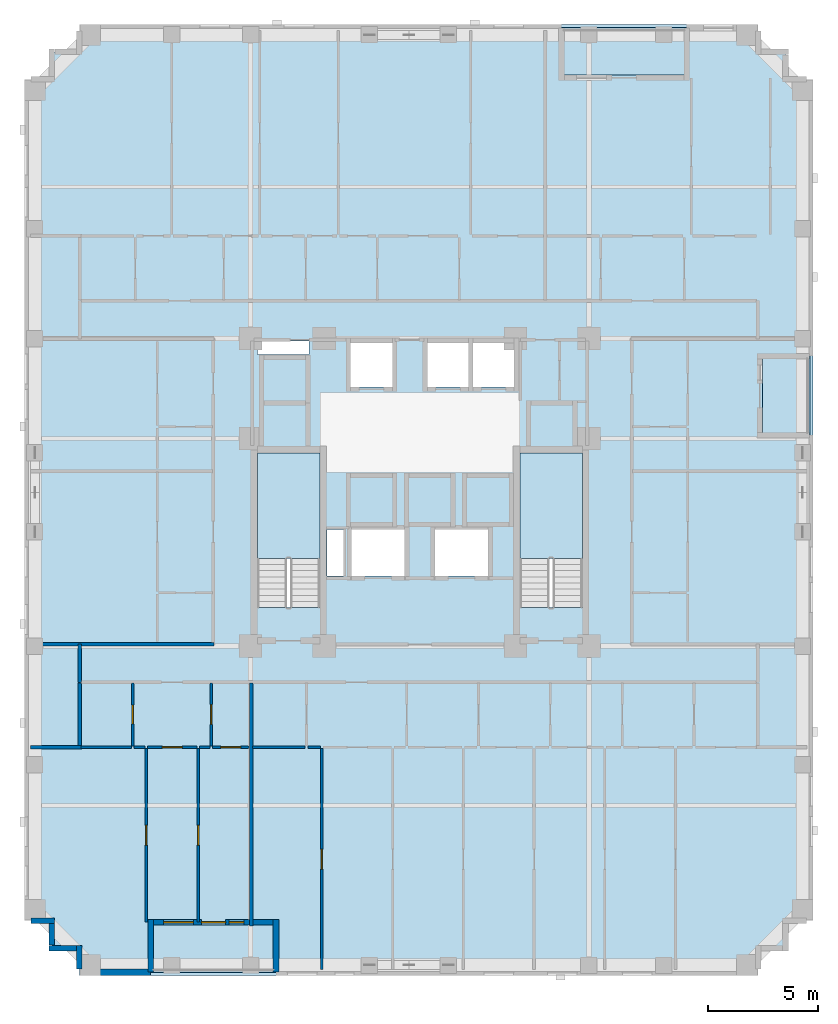
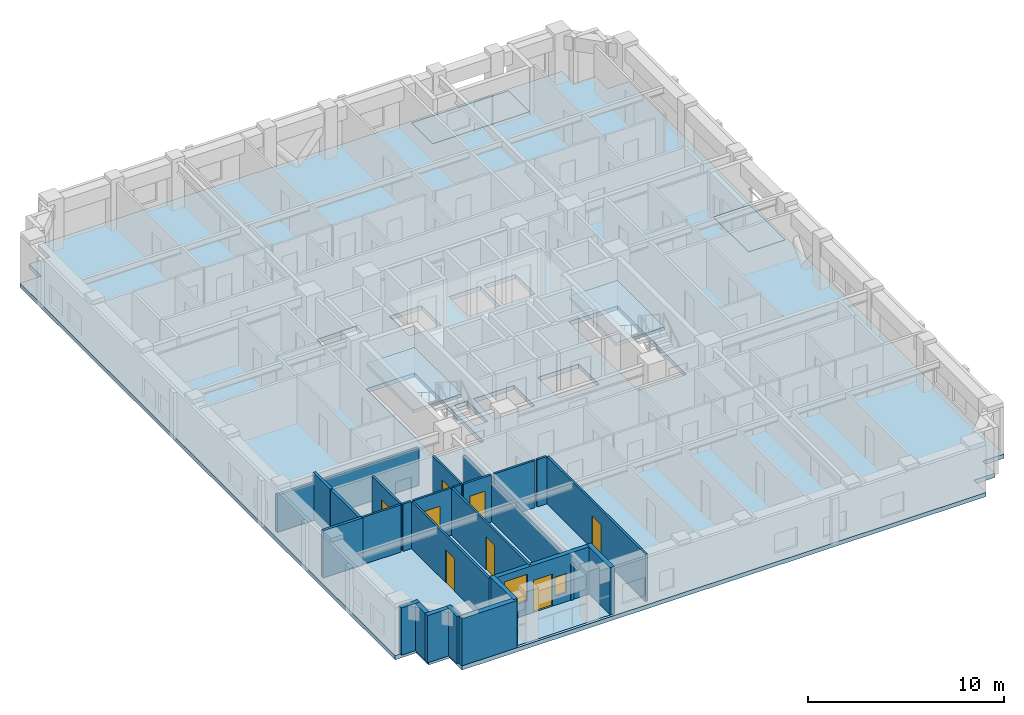
# One storey, part 2 of 12: 25 walls, 8 doors, 6 slabs, 2 windows, 10 openings, 2 elements without a shape of their own.
"""IFC4 building model written with IfcOpenShell, lengths in metres."""

from ifc_helpers import new_model, si_unit, derived_unit, direction, frame, frame_2d, origin, place, context, subcontext, project, spatial, polyline, rectangle, outline, extrude, material, layer, layer_set, type_object, element, fill, aggregate, save


model = new_model("IFC4")

# Units and contexts
model_context = context("Model", 3, precision=1e-05, world=origin(), true_north=direction((0.0, 1.0)))
body_context = subcontext(model_context, "Body", "Model", "MODEL_VIEW")
ifc_project = project(units=[si_unit("LENGTHUNIT", "METRE"), si_unit("AREAUNIT", "SQUARE_METRE"), si_unit("VOLUMEUNIT", "CUBIC_METRE"), si_unit("PLANEANGLEUNIT", "RADIAN"), si_unit("MASSUNIT", "GRAM", prefix="KILO"), derived_unit("THERMALTRANSMITTANCEUNIT", [(si_unit("MASSUNIT", "GRAM", prefix="KILO"), 1), (si_unit("TIMEUNIT", "SECOND"), -3), (si_unit("THERMODYNAMICTEMPERATUREUNIT", "KELVIN"), -1)])], contexts=[model_context])

# Site, building, storey
site_placement = place(None, origin())
site = spatial("IfcSite", under=ifc_project, at=site_placement, CompositionType="ELEMENT")
building_placement = place(site_placement, origin())
building = spatial("IfcBuilding", under=site, at=building_placement, Name="Korrvale Station Residences", CompositionType="ELEMENT")
storey_placement = place(building_placement, frame((0.0, 0.0, 110.300048828125)))
storey = spatial("IfcBuildingStorey", under=building, at=storey_placement, Name="L31", CompositionType="ELEMENT", Elevation=110.300048828125)

# Slabs
ifc_material_1 = material(Name="Concrete C50/60", Category="concrete")
ifc_layer_1 = layer(ifc_material_1, 0.219970703125, Name="Concrete C50/60")
ifc_layer_set_1 = layer_set([ifc_layer_1], Name="Concrete C50/60")
slab_type_1 = type_object("IfcSlabType", Name="SLB-BAL-220", PredefinedType="FLOOR", material=ifc_layer_set_1)
slab_1_placement = place(storey_placement, frame((0.0, 0.0, -0.219970703125)))
element("IfcSlab", 1, at=slab_1_placement, inside=storey, type_object=slab_type_1, Name="L31 Recessed Loggia Balcony Slab BAL-L31-S1", PredefinedType="FLOOR", context=body_context, shape_type="SweptSolid", body=[
    extrude(outline(polyline([(13.25, 0.14990234375), (18.949951171875, 0.14990234375), (18.949951171875, 2.300048828125), (13.25, 2.300048828125), (13.25, 0.14990234375)])), origin(), (0.0, 0.0, 1.0), 0.219970703125),
])
slab_2_placement = place(storey_placement, frame((0.0, 0.0, -0.219970703125)))
element("IfcSlab", 2, at=slab_2_placement, inside=storey, type_object=slab_type_1, Name="L31 Recessed Loggia Balcony Slab BAL-L31-N1", PredefinedType="FLOOR", context=body_context, shape_type="SweptSolid", body=[
    extrude(outline(polyline([(31.949951171875, 41.0), (37.64990234375, 41.0), (37.64990234375, 43.14990234375), (31.949951171875, 43.14990234375), (31.949951171875, 41.0)])), origin(), (0.0, 0.0, 1.0), 0.219970703125),
])
slab_3_placement = place(storey_placement, frame((0.0, 0.0, -0.219970703125)))
element("IfcSlab", 3, at=slab_3_placement, inside=storey, type_object=slab_type_1, Name="L31 Recessed Loggia Balcony Slab BAL-L31-E1", PredefinedType="FLOOR", context=body_context, shape_type="SweptSolid", body=[
    extrude(outline(polyline([(41.10009765625, 24.60009765625), (43.25, 24.60009765625), (43.25, 28.199951171875), (41.10009765625, 28.199951171875), (41.10009765625, 24.60009765625)])), origin(), (0.0, 0.0, 1.0), 0.219970703125),
])
ifc_layer_2 = layer(ifc_material_1, 0.260009765625, Name="Concrete C50/60")
ifc_layer_set_2 = layer_set([ifc_layer_2], Name="Concrete C50/60")
slab_type_2 = type_object("IfcSlabType", Name="SLB-FLR-260", PredefinedType="FLOOR", material=ifc_layer_set_2)
slab_4_placement = place(storey_placement, frame((0.0, 0.0, -0.260009765625)))
element("IfcSlab", 4, at=slab_4_placement, inside=storey, type_object=slab_type_2, Name="L31 Suspended Structural Floor Slab", PredefinedType="FLOOR", context=body_context, shape_type="SweptSolid", body=[
    extrude(outline(polyline([(10.0, 0.0), (40.89990234375, 0.0), (40.89990234375, 1.25), (42.14990234375, 1.25), (42.14990234375, 2.5), (43.39990234375, 2.5), (43.39990234375, 40.800048828125), (42.14990234375, 40.800048828125), (42.14990234375, 42.050048828125), (40.89990234375, 42.050048828125), (40.89990234375, 43.300048828125), (10.0, 43.300048828125), (10.0, 42.050048828125), (8.75, 42.050048828125), (8.75, 40.800048828125), (7.5, 40.800048828125), (7.5, 2.5), (8.75, 2.5), (8.75, 1.25), (10.0, 1.25), (10.0, 0.0)]), holes=[polyline([(20.949951171875, 16.751953125), (20.949951171875, 23.800048828125), (18.10009765625, 23.800048828125), (18.10009765625, 16.751953125), (20.949951171875, 16.751953125)]), polyline([(32.89990234375, 16.751953125), (32.89990234375, 23.800048828125), (30.050048828125, 23.800048828125), (30.050048828125, 16.751953125), (32.89990234375, 16.751953125)]), polyline([(22.35009765625, 26.800048828125), (24.25, 26.800048828125), (24.25, 28.800048828125), (22.35009765625, 28.800048828125), (22.35009765625, 26.800048828125)]), polyline([(25.85009765625, 26.800048828125), (27.7099609375, 26.800048828125), (27.7099609375, 28.800048828125), (25.85009765625, 28.800048828125), (25.85009765625, 26.800048828125)]), polyline([(27.929931640625, 26.800048828125), (29.7900390625, 26.800048828125), (29.7900390625, 28.800048828125), (27.929931640625, 28.800048828125), (27.929931640625, 26.800048828125)]), polyline([(22.39990234375, 18.199951171875), (24.800048828125, 18.199951171875), (24.800048828125, 20.300048828125), (22.39990234375, 20.300048828125), (22.39990234375, 18.199951171875)]), polyline([(26.199951171875, 18.199951171875), (28.60009765625, 18.199951171875), (28.60009765625, 20.300048828125), (26.199951171875, 20.300048828125), (26.199951171875, 18.199951171875)]), polyline([(18.10009765625, 28.280029296875), (20.449951171875, 28.280029296875), (20.449951171875, 28.8798828125), (18.10009765625, 28.8798828125), (18.10009765625, 28.280029296875)]), polyline([(21.280029296875, 18.199951171875), (22.02001953125, 18.199951171875), (22.02001953125, 20.300048828125), (21.280029296875, 20.300048828125), (21.280029296875, 18.199951171875)]), polyline([(13.25, 0.14990234375), (18.949951171875, 0.14990234375), (18.949951171875, 2.300048828125), (13.25, 2.300048828125), (13.25, 0.14990234375)]), polyline([(31.949951171875, 41.0), (37.64990234375, 41.0), (37.64990234375, 43.14990234375), (31.949951171875, 43.14990234375), (31.949951171875, 41.0)]), polyline([(41.10009765625, 24.60009765625), (43.25, 24.60009765625), (43.25, 28.199951171875), (41.10009765625, 28.199951171875), (41.10009765625, 24.60009765625)])]), origin(), (0.0, 0.0, 1.0), 0.260009765625),
])

# Stair, slab
stair_type = type_object("IfcStairType", Name="STR-DL-1350-18R-1778", PredefinedType="HALF_TURN_STAIR", material=ifc_material_1)
stair_1_placement = place(storey_placement, origin())
stair_1 = element("IfcStair", 5, at=stair_1_placement, inside=storey, type_object=stair_type, Name="L31 Exit Stair 1", PredefinedType="HALF_TURN_STAIR")
ifc_layer_3 = layer(ifc_material_1, 0.199951171875, Name="Concrete C50/60")
ifc_layer_set_3 = layer_set([ifc_layer_3], Name="Concrete C50/60")
slab_type_3 = type_object("IfcSlabType", Name="SLB-LND-200", PredefinedType="LANDING", material=ifc_layer_set_3)
slab_5_placement = place(storey_placement, frame((0.0, 0.0, 1.39990234375)))
slab_5 = element("IfcSlab", 6, at=slab_5_placement, type_object=slab_type_3, Name="ST-1 landing 1", PredefinedType="LANDING", context=body_context, shape_type="SweptSolid", body=[
    extrude(outline(polyline([(20.949951171875, 18.989990234375), (20.949951171875, 23.800048828125), (18.10009765625, 23.800048828125), (18.10009765625, 18.989990234375), (20.949951171875, 18.989990234375)])), origin(), (0.0, 0.0, 1.0), 0.199951171875),
])
aggregate(stair_1, [slab_5])

stair_2_placement = place(storey_placement, origin())
stair_2 = element("IfcStair", 7, at=stair_2_placement, inside=storey, type_object=stair_type, Name="L31 Exit Stair 2", PredefinedType="HALF_TURN_STAIR")
slab_6_placement = place(storey_placement, frame((0.0, 0.0, 1.39990234375)))
slab_6 = element("IfcSlab", 8, at=slab_6_placement, type_object=slab_type_3, Name="ST-2 landing 1", PredefinedType="LANDING", context=body_context, shape_type="SweptSolid", body=[
    extrude(outline(polyline([(32.89990234375, 18.989990234375), (32.89990234375, 23.800048828125), (30.050048828125, 23.800048828125), (30.050048828125, 18.989990234375), (32.89990234375, 18.989990234375)])), origin(), (0.0, 0.0, 1.0), 0.199951171875),
])
aggregate(stair_2, [slab_6])

# Wall
ifc_material_2 = material(Name="Precast concrete C45/55", Category="concrete")
ifc_layer_4 = layer(ifc_material_2, 0.260009765625, Name="Precast concrete C45/55")
ifc_layer_set_4 = layer_set([ifc_layer_4], Name="Precast concrete C45/55")
wall_type_1 = type_object("IfcWallType", Name="WAL-EXT-LOG260", PredefinedType="SOLIDWALL", material=ifc_layer_set_4)
wall_1_placement = place(storey_placement, frame((18.949951171875, 0.159912109375, 0.0), z_axis=(0.0, 0.0, 1.0), x_axis=(0.0, 1.0, 0.0)))
element("IfcWall", 9, at=wall_1_placement, inside=storey, type_object=wall_type_1, Name="L31 Recessed Loggia Wall BAL-L31-S1-L", PredefinedType="SOLIDWALL", context=body_context, shape_type="SweptSolid", body=[
    extrude(rectangle(XDim=2.400146484375, YDim=0.260009765625, at=frame_2d((1.2001953125, 0.0))), origin(), (0.0, 0.0, 1.0), 2.93994140625),
])

# Wall, openings, door, windows
wall_2_placement = place(storey_placement, frame((18.81591796875, 2.429931640625, 0.0), z_axis=(0.0, 0.0, 1.0), x_axis=(-1.0, 0.0, 0.0)))
wall_2 = element("IfcWall", 10, at=wall_2_placement, inside=storey, type_object=wall_type_1, Name="L31 Recessed Loggia Wall BAL-L31-S1-B", PredefinedType="SOLIDWALL", context=body_context, shape_type="SweptSolid", body=[
    extrude(rectangle(XDim=5.431884765625, YDim=0.260009765625, at=frame_2d((2.7158203125, 0.0))), origin(), (0.0, 0.0, 1.0), 2.93994140625),
])
opening_1_placement = place(wall_2_placement, frame((2.160888671875, 0.0, 0.0)))
opening_1 = element("IfcOpeningElement", 11, at=opening_1_placement, cuts=wall_2, Name="Opening BD-01", PredefinedType="OPENING", context=body_context, shape_type="SweptSolid", body=[
    extrude(rectangle(XDim=1.10009765625, YDim=2.0, at=frame_2d((0.550048828125, 1.0))), frame((0.0, 0.14013671875, 0.0), z_axis=(0.0, -1.0, 0.0), x_axis=(1.0, 0.0, 0.0)), (0.0, 0.0, 1.0), 0.280029296875),
])
opening_2_placement = place(wall_2_placement, frame((3.625, 0.0, 0.85009765625)))
opening_2 = element("IfcOpeningElement", 12, at=opening_2_placement, cuts=wall_2, Name="Opening W-06", PredefinedType="OPENING", context=body_context, shape_type="SweptSolid", body=[
    extrude(rectangle(XDim=1.35009765625, YDim=1.64990234375, at=frame_2d((0.675048828125, 0.824951171875))), frame((0.0, 0.14013671875, 0.0), z_axis=(0.0, -1.0, 0.0), x_axis=(1.0, 0.0, 0.0)), (0.0, 0.0, 1.0), 0.280029296875),
])
opening_3_placement = place(wall_2_placement, frame((1.321044921875, 0.0, 0.550048828125)))
opening_3 = element("IfcOpeningElement", 13, at=opening_3_placement, cuts=wall_2, Name="Opening W-12", PredefinedType="OPENING", context=body_context, shape_type="SweptSolid", body=[
    extrude(rectangle(XDim=0.679931640625, YDim=1.199951171875, at=frame_2d((0.33984375, 0.60009765625))), frame((0.0, 0.14013671875, 0.0), z_axis=(0.0, -1.0, 0.0), x_axis=(1.0, 0.0, 0.0)), (0.0, 0.0, 1.0), 0.280029296875),
])
ifc_material_3 = material(Name="Exterior thermally broken aluminium glazed balcony door", Category="aluminium")
door_type_1 = type_object("IfcDoorType", Name="DR-EXT-BAL", OperationType="NOTDEFINED", PredefinedType="DOOR", material=ifc_material_3)
door_1_placement = place(opening_1_placement, origin())
door_1 = element("IfcDoor", 14, at=door_1_placement, inside=storey, type_object=door_type_1, Name="L31 Loggia Balcony Door BAL-L31-S1", OperationType="SINGLE_SWING_LEFT", OverallHeight=2.0, OverallWidth=1.10009765625, PredefinedType="DOOR", context=body_context, shape_type="SweptSolid", body=[
    extrude(rectangle(XDim=1.10009765625, YDim=2.0, at=frame_2d((0.550048828125, 1.0))), frame((0.0, 0.02490234375, 0.0), z_axis=(0.0, -1.0, 0.0), x_axis=(1.0, 0.0, 0.0)), (0.0, 0.0, 1.0), 0.050048828125),
])
fill(opening_1, door_1)
ifc_material_4 = material(Name="Thermally broken aluminium frame with triple low-e glazing", Category="aluminium")
window_type_1 = type_object("IfcWindowType", Name="WIN-W06", PartitioningType="SINGLE_PANEL", PredefinedType="WINDOW", material=ifc_material_4)
window_1_placement = place(opening_2_placement, origin())
window_1 = element("IfcWindow", 15, at=window_1_placement, inside=storey, type_object=window_type_1, Name="L31 Punched Window 03", OverallHeight=1.64990234375, OverallWidth=1.35009765625, PartitioningType="SINGLE_PANEL", PredefinedType="WINDOW", context=body_context, shape_type="SweptSolid", body=[
    extrude(rectangle(XDim=1.35009765625, YDim=1.64990234375, at=frame_2d((0.675048828125, 0.824951171875))), frame((0.0, 0.030029296875, 0.0), z_axis=(0.0, -1.0, 0.0), x_axis=(1.0, 0.0, 0.0)), (0.0, 0.0, 1.0), 0.06005859375),
])
fill(opening_2, window_1)
window_type_2 = type_object("IfcWindowType", Name="WIN-W12", PartitioningType="SINGLE_PANEL", PredefinedType="WINDOW", material=ifc_material_4)
window_2_placement = place(opening_3_placement, origin())
window_2 = element("IfcWindow", 16, at=window_2_placement, inside=storey, type_object=window_type_2, Name="L31 Punched Window 04", OverallHeight=1.199951171875, OverallWidth=0.679931640625, PartitioningType="SINGLE_PANEL", PredefinedType="WINDOW", context=body_context, shape_type="SweptSolid", body=[
    extrude(rectangle(XDim=0.679931640625, YDim=1.199951171875, at=frame_2d((0.33984375, 0.60009765625))), frame((0.0, 0.030029296875, 0.0), z_axis=(0.0, -1.0, 0.0), x_axis=(1.0, 0.0, 0.0)), (0.0, 0.0, 1.0), 0.06005859375),
])
fill(opening_3, window_2)

# Walls
wall_3_placement = place(storey_placement, frame((13.25, 2.56005859375, 0.0), z_axis=(0.0, 0.0, 1.0), x_axis=(0.0, -1.0, 0.0)))
element("IfcWall", 17, at=wall_3_placement, inside=storey, type_object=wall_type_1, Name="L31 Recessed Loggia Wall BAL-L31-S1-R", PredefinedType="SOLIDWALL", context=body_context, shape_type="SweptSolid", body=[
    extrude(rectangle(XDim=2.400146484375, YDim=0.260009765625, at=frame_2d((1.2001953125, 0.0))), origin(), (0.0, 0.0, 1.0), 2.93994140625),
])
wall_4_placement = place(storey_placement, frame((10.0, 0.302001953125, 0.0), z_axis=(0.0, 0.0, 1.0), x_axis=(0.0, 1.0, 0.0)))
element("IfcWall", 18, at=wall_4_placement, inside=storey, type_object=wall_type_1, Name="L31 Serrated Corner Precast Step SW-1", PredefinedType="SOLIDWALL", context=body_context, shape_type="SweptSolid", body=[
    extrude(rectangle(XDim=1.077880859375, YDim=0.260009765625, at=frame_2d((0.5390625, 0.0))), origin(), (0.0, 0.0, 1.0), 2.93994140625),
])
wall_5_placement = place(storey_placement, frame((9.867919921875, 1.25, 0.0), z_axis=(0.0, 0.0, 1.0), x_axis=(-1.0, 0.0, 0.0)))
element("IfcWall", 19, at=wall_5_placement, inside=storey, type_object=wall_type_1, Name="L31 Serrated Corner Precast Step SW-2", PredefinedType="SOLIDWALL", context=body_context, shape_type="SweptSolid", body=[
    extrude(rectangle(XDim=1.247802734375, YDim=0.260009765625, at=frame_2d((0.6240234375, 0.0))), origin(), (0.0, 0.0, 1.0), 2.93994140625),
])
wall_6_placement = place(storey_placement, frame((8.75, 1.382080078125, 0.0), z_axis=(0.0, 0.0, 1.0), x_axis=(0.0, 1.0, 0.0)))
element("IfcWall", 20, at=wall_6_placement, inside=storey, type_object=wall_type_1, Name="L31 Serrated Corner Precast Step SW-3", PredefinedType="SOLIDWALL", context=body_context, shape_type="SweptSolid", body=[
    extrude(rectangle(XDim=0.98583984375, YDim=0.260009765625, at=frame_2d((0.492919921875, 0.0))), origin(), (0.0, 0.0, 1.0), 2.93994140625),
])
wall_7_placement = place(storey_placement, frame((8.8798828125, 2.5, 0.0), z_axis=(0.0, 0.0, 1.0), x_axis=(-1.0, 0.0, 0.0)))
element("IfcWall", 21, at=wall_7_placement, inside=storey, type_object=wall_type_1, Name="L31 Serrated Corner Precast Step SW-4", PredefinedType="SOLIDWALL", context=body_context, shape_type="SweptSolid", body=[
    extrude(rectangle(XDim=1.077880859375, YDim=0.260009765625, at=frame_2d((0.5390625, 0.0))), origin(), (0.0, 0.0, 1.0), 2.93994140625),
])
ifc_layer_5 = layer(ifc_material_2, 0.300048828125, Name="Precast concrete C45/55")
ifc_layer_set_5 = layer_set([ifc_layer_5], Name="Precast concrete C45/55")
wall_type_2 = type_object("IfcWallType", Name="WAL-EXT-PC300", PredefinedType="SOLIDWALL", material=ifc_layer_set_5)
wall_8_placement = place(storey_placement, frame((13.25, 0.14990234375, 0.0), z_axis=(0.0, 0.0, 1.0), x_axis=(-1.0, 0.0, 0.0)))
element("IfcWall", 22, at=wall_8_placement, inside=storey, type_object=wall_type_2, Name="L31 South Exterior Precast Wall 2", PredefinedType="SOLIDWALL", context=body_context, shape_type="SweptSolid", body=[
    extrude(rectangle(XDim=3.25, YDim=0.300048828125, at=frame_2d((1.625, 0.0))), origin(), (0.0, 0.0, 1.0), 2.93994140625),
])

# Wall, opening, door
ifc_material_5 = material(Name="Acoustic steel-stud gypsum board partition", Category="steel")
ifc_layer_6 = layer(ifc_material_5, 0.1201171875, Name="Acoustic steel-stud gypsum board partition")
ifc_layer_set_6 = layer_set([ifc_layer_6], Name="Acoustic steel-stud gypsum board partition")
wall_type_3 = type_object("IfcWallType", Name="WAL-PART-125", PredefinedType="PARTITIONING", material=ifc_layer_set_6)
wall_9_placement = place(storey_placement, frame((12.431884765625, 10.4599609375, 0.0), z_axis=(0.0, 0.0, 1.0), x_axis=(0.0, 1.0, 0.0)))
wall_9 = element("IfcWall", 23, at=wall_9_placement, inside=storey, type_object=wall_type_3, Name="L31 Suite Partition U01-V01", PredefinedType="PARTITIONING", context=body_context, shape_type="SweptSolid", body=[
    extrude(rectangle(XDim=2.85009765625, YDim=0.1201171875, at=frame_2d((1.425048828125, 0.0))), origin(), (0.0, 0.0, 1.0), 2.93994140625),
])
opening_4_placement = place(wall_9_placement, frame((0.9951171875, 0.0, 0.0)))
opening_4 = element("IfcOpeningElement", 24, at=opening_4_placement, cuts=wall_9, Name="Opening DB-860", PredefinedType="OPENING", context=body_context, shape_type="SweptSolid", body=[
    extrude(rectangle(XDim=0.860107421875, YDim=2.050048828125, at=frame_2d((0.43017578125, 1.02490234375))), frame((0.0, 0.070068359375, 0.0), z_axis=(0.0, -1.0, 0.0), x_axis=(1.0, 0.0, 0.0)), (0.0, 0.0, 1.0), 0.14013671875),
])
ifc_material_6 = material(Name="Moisture-resistant solid-core bathroom door", Category="timber")
door_type_2 = type_object("IfcDoorType", Name="DR-BATH-860", OperationType="NOTDEFINED", PredefinedType="DOOR", material=ifc_material_6)
door_2_placement = place(opening_4_placement, origin())
door_2 = element("IfcDoor", 25, at=door_2_placement, inside=storey, type_object=door_type_2, Name="L31 Apartment 2BR L31-U01 Bathroom Door", OperationType="SINGLE_SWING_RIGHT", OverallHeight=2.050048828125, OverallWidth=0.860107421875, PredefinedType="DOOR", context=body_context, shape_type="SweptSolid", body=[
    extrude(rectangle(XDim=0.860107421875, YDim=2.050048828125, at=frame_2d((0.43017578125, 1.02490234375))), frame((0.0, 0.02490234375, 0.0), z_axis=(0.0, -1.0, 0.0), x_axis=(1.0, 0.0, 0.0)), (0.0, 0.0, 1.0), 0.050048828125),
])
fill(opening_4, door_2)

# Wall
wall_10_placement = place(storey_placement, frame((10.080078125, 10.39990234375, 0.0), z_axis=(0.0, 0.0, 1.0), x_axis=(1.0, 0.0, 0.0)))
element("IfcWall", 26, at=wall_10_placement, inside=storey, type_object=wall_type_3, Name="L31 Suite Partition U01-H03", PredefinedType="PARTITIONING", context=body_context, shape_type="SweptSolid", body=[
    extrude(rectangle(XDim=2.2919921875, YDim=0.1201171875, at=frame_2d((1.14599609375, 0.0))), origin(), (0.0, 0.0, 1.0), 2.93994140625),
])

# Wall, opening, door
wall_11_placement = place(storey_placement, frame((16.001953125, 10.4599609375, 0.0), z_axis=(0.0, 0.0, 1.0), x_axis=(0.0, 1.0, 0.0)))
wall_11 = element("IfcWall", 27, at=wall_11_placement, inside=storey, type_object=wall_type_3, Name="L31 Suite Partition U01-V12", PredefinedType="PARTITIONING", context=body_context, shape_type="SweptSolid", body=[
    extrude(rectangle(XDim=2.85009765625, YDim=0.1201171875, at=frame_2d((1.425048828125, 0.0))), origin(), (0.0, 0.0, 1.0), 2.93994140625),
])
opening_5_placement = place(wall_11_placement, frame((0.97509765625, 0.0, 0.0)))
opening_5 = element("IfcOpeningElement", 28, at=opening_5_placement, cuts=wall_11, Name="Opening DI-900", PredefinedType="OPENING", context=body_context, shape_type="SweptSolid", body=[
    extrude(rectangle(XDim=0.89990234375, YDim=2.050048828125, at=frame_2d((0.449951171875, 1.02490234375))), frame((0.0, 0.070068359375, 0.0), z_axis=(0.0, -1.0, 0.0), x_axis=(1.0, 0.0, 0.0)), (0.0, 0.0, 1.0), 0.14013671875),
])
ifc_material_7 = material(Name="Painted solid-core timber interior room door", Category="wood")
door_type_3 = type_object("IfcDoorType", Name="DR-INT-900", OperationType="NOTDEFINED", PredefinedType="DOOR", material=ifc_material_7)
door_3_placement = place(opening_5_placement, origin())
door_3 = element("IfcDoor", 29, at=door_3_placement, inside=storey, type_object=door_type_3, Name="L31 Apartment 2BR L31-U01 Kitchen Door", OperationType="SINGLE_SWING_LEFT", OverallHeight=2.050048828125, OverallWidth=0.89990234375, PredefinedType="DOOR", context=body_context, shape_type="SweptSolid", body=[
    extrude(rectangle(XDim=0.89990234375, YDim=2.050048828125, at=frame_2d((0.449951171875, 1.02490234375))), frame((0.0, 0.02490234375, 0.0), z_axis=(0.0, -1.0, 0.0), x_axis=(1.0, 0.0, 0.0)), (0.0, 0.0, 1.0), 0.050048828125),
])
fill(opening_5, door_3)

# Wall
wall_12_placement = place(storey_placement, frame((12.491943359375, 10.39990234375, 0.0), z_axis=(0.0, 0.0, 1.0), x_axis=(1.0, 0.0, 0.0)))
element("IfcWall", 30, at=wall_12_placement, inside=storey, type_object=wall_type_3, Name="L31 Suite Partition U01-H13", PredefinedType="PARTITIONING", context=body_context, shape_type="SweptSolid", body=[
    extrude(rectangle(XDim=0.498046875, YDim=0.1201171875, at=frame_2d((0.2490234375, 0.0))), origin(), (0.0, 0.0, 1.0), 2.93994140625),
])

# Wall, opening, door
wall_13_placement = place(storey_placement, frame((13.110107421875, 10.39990234375, 0.0), z_axis=(0.0, 0.0, 1.0), x_axis=(1.0, 0.0, 0.0)))
wall_13 = element("IfcWall", 31, at=wall_13_placement, inside=storey, type_object=wall_type_3, Name="L31 Suite Partition U01-H14", PredefinedType="PARTITIONING", context=body_context, shape_type="SweptSolid", body=[
    extrude(rectangle(XDim=2.244873046875, YDim=0.1201171875, at=frame_2d((1.12255859375, 0.0))), origin(), (0.0, 0.0, 1.0), 2.93994140625),
])
opening_6_placement = place(wall_13_placement, frame((0.673095703125, 0.0, 0.0)))
opening_6 = element("IfcOpeningElement", 32, at=opening_6_placement, cuts=wall_13, Name="Opening DI-900", PredefinedType="OPENING", context=body_context, shape_type="SweptSolid", body=[
    extrude(rectangle(XDim=0.89990234375, YDim=2.050048828125, at=frame_2d((0.449951171875, 1.02490234375))), frame((0.0, 0.070068359375, 0.0), z_axis=(0.0, -1.0, 0.0), x_axis=(1.0, 0.0, 0.0)), (0.0, 0.0, 1.0), 0.14013671875),
])
door_4_placement = place(opening_6_placement, origin())
door_4 = element("IfcDoor", 33, at=door_4_placement, inside=storey, type_object=door_type_3, Name="L31 Apartment 2BR L31-U01 Kitchen Door", OperationType="SINGLE_SWING_RIGHT", OverallHeight=2.050048828125, OverallWidth=0.89990234375, PredefinedType="DOOR", context=body_context, shape_type="SweptSolid", body=[
    extrude(rectangle(XDim=0.89990234375, YDim=2.050048828125, at=frame_2d((0.449951171875, 1.02490234375))), frame((0.0, 0.02490234375, 0.0), z_axis=(0.0, -1.0, 0.0), x_axis=(1.0, 0.0, 0.0)), (0.0, 0.0, 1.0), 0.050048828125),
])
fill(opening_6, door_4)

# Wall
wall_14_placement = place(storey_placement, frame((15.47509765625, 10.39990234375, 0.0), z_axis=(0.0, 0.0, 1.0), x_axis=(1.0, 0.0, 0.0)))
element("IfcWall", 34, at=wall_14_placement, inside=storey, type_object=wall_type_3, Name="L31 Suite Partition U01-H15", PredefinedType="PARTITIONING", context=body_context, shape_type="SweptSolid", body=[
    extrude(rectangle(XDim=0.466796875, YDim=0.1201171875, at=frame_2d((0.2333984375, 0.0))), origin(), (0.0, 0.0, 1.0), 2.93994140625),
])

# Wall, opening, door
wall_15_placement = place(storey_placement, frame((16.06201171875, 10.39990234375, 0.0), z_axis=(0.0, 0.0, 1.0), x_axis=(1.0, 0.0, 0.0)))
wall_15 = element("IfcWall", 35, at=wall_15_placement, inside=storey, type_object=wall_type_3, Name="L31 Suite Partition U01-H25", PredefinedType="PARTITIONING", context=body_context, shape_type="SweptSolid", body=[
    extrude(rectangle(XDim=1.657958984375, YDim=0.1201171875, at=frame_2d((0.8291015625, 0.0))), origin(), (0.0, 0.0, 1.0), 2.93994140625),
])
opening_7_placement = place(wall_15_placement, frame((0.37890625, 0.0, 0.0)))
opening_7 = element("IfcOpeningElement", 36, at=opening_7_placement, cuts=wall_15, Name="Opening DI-900", PredefinedType="OPENING", context=body_context, shape_type="SweptSolid", body=[
    extrude(rectangle(XDim=0.89990234375, YDim=2.050048828125, at=frame_2d((0.449951171875, 1.02490234375))), frame((0.0, 0.070068359375, 0.0), z_axis=(0.0, -1.0, 0.0), x_axis=(1.0, 0.0, 0.0)), (0.0, 0.0, 1.0), 0.14013671875),
])
door_5_placement = place(opening_7_placement, origin())
door_5 = element("IfcDoor", 37, at=door_5_placement, inside=storey, type_object=door_type_3, Name="L31 Apartment 2BR L31-U01 Utility and Laundry Room Door", OperationType="SINGLE_SWING_LEFT", OverallHeight=2.050048828125, OverallWidth=0.89990234375, PredefinedType="DOOR", context=body_context, shape_type="SweptSolid", body=[
    extrude(rectangle(XDim=0.89990234375, YDim=2.050048828125, at=frame_2d((0.449951171875, 1.02490234375))), frame((0.0, 0.02490234375, 0.0), z_axis=(0.0, -1.0, 0.0), x_axis=(1.0, 0.0, 0.0)), (0.0, 0.0, 1.0), 0.050048828125),
])
fill(opening_7, door_5)

wall_16_placement = place(storey_placement, frame((13.050048828125, 2.429931640625, 0.0), z_axis=(0.0, 0.0, 1.0), x_axis=(0.0, 1.0, 0.0)))
wall_16 = element("IfcWall", 38, at=wall_16_placement, inside=storey, type_object=wall_type_3, Name="L31 Suite Partition U01-V34", PredefinedType="PARTITIONING", context=body_context, shape_type="SweptSolid", body=[
    extrude(rectangle(XDim=7.91015625, YDim=0.1201171875, at=frame_2d((3.955078125, 0.0))), origin(), (0.0, 0.0, 1.0), 2.93994140625),
])
opening_8_placement = place(wall_16_placement, frame((3.5048828125, 0.0, 0.0)))
opening_8 = element("IfcOpeningElement", 39, at=opening_8_placement, cuts=wall_16, Name="Opening DI-900", PredefinedType="OPENING", context=body_context, shape_type="SweptSolid", body=[
    extrude(rectangle(XDim=0.89990234375, YDim=2.050048828125, at=frame_2d((0.449951171875, 1.02490234375))), frame((0.0, 0.070068359375, 0.0), z_axis=(0.0, -1.0, 0.0), x_axis=(1.0, 0.0, 0.0)), (0.0, 0.0, 1.0), 0.14013671875),
])
door_6_placement = place(opening_8_placement, origin())
door_6 = element("IfcDoor", 40, at=door_6_placement, inside=storey, type_object=door_type_3, Name="L31 Apartment 2BR L31-U01 Living and Dining Room Door", OperationType="SINGLE_SWING_RIGHT", OverallHeight=2.050048828125, OverallWidth=0.89990234375, PredefinedType="DOOR", context=body_context, shape_type="SweptSolid", body=[
    extrude(rectangle(XDim=0.89990234375, YDim=2.050048828125, at=frame_2d((0.449951171875, 1.02490234375))), frame((0.0, 0.02490234375, 0.0), z_axis=(0.0, -1.0, 0.0), x_axis=(1.0, 0.0, 0.0)), (0.0, 0.0, 1.0), 0.050048828125),
])
fill(opening_8, door_6)

wall_17_placement = place(storey_placement, frame((15.4150390625, 2.429931640625, 0.0), z_axis=(0.0, 0.0, 1.0), x_axis=(0.0, 1.0, 0.0)))
wall_17 = element("IfcWall", 41, at=wall_17_placement, inside=storey, type_object=wall_type_3, Name="L31 Suite Partition U01-V45", PredefinedType="PARTITIONING", context=body_context, shape_type="SweptSolid", body=[
    extrude(rectangle(XDim=7.91015625, YDim=0.1201171875, at=frame_2d((3.955078125, 0.0))), origin(), (0.0, 0.0, 1.0), 2.93994140625),
])
opening_9_placement = place(wall_17_placement, frame((3.5048828125, 0.0, 0.0)))
opening_9 = element("IfcOpeningElement", 42, at=opening_9_placement, cuts=wall_17, Name="Opening DI-900", PredefinedType="OPENING", context=body_context, shape_type="SweptSolid", body=[
    extrude(rectangle(XDim=0.89990234375, YDim=2.050048828125, at=frame_2d((0.449951171875, 1.02490234375))), frame((0.0, 0.070068359375, 0.0), z_axis=(0.0, -1.0, 0.0), x_axis=(1.0, 0.0, 0.0)), (0.0, 0.0, 1.0), 0.14013671875),
])
door_7_placement = place(opening_9_placement, origin())
door_7 = element("IfcDoor", 43, at=door_7_placement, inside=storey, type_object=door_type_3, Name="L31 Apartment 2BR L31-U01 Bedroom 1 Door", OperationType="SINGLE_SWING_LEFT", OverallHeight=2.050048828125, OverallWidth=0.89990234375, PredefinedType="DOOR", context=body_context, shape_type="SweptSolid", body=[
    extrude(rectangle(XDim=0.89990234375, YDim=2.050048828125, at=frame_2d((0.449951171875, 1.02490234375))), frame((0.0, 0.02490234375, 0.0), z_axis=(0.0, -1.0, 0.0), x_axis=(1.0, 0.0, 0.0)), (0.0, 0.0, 1.0), 0.050048828125),
])
fill(opening_9, door_7)

# Walls
wall_18_placement = place(storey_placement, frame((17.8798828125, 10.39990234375, 0.0), z_axis=(0.0, 0.0, 1.0), x_axis=(1.0, 0.0, 0.0)))
element("IfcWall", 44, at=wall_18_placement, inside=storey, type_object=wall_type_3, Name="L31 Suite Partition U02-H07", PredefinedType="PARTITIONING", context=body_context, shape_type="SweptSolid", body=[
    extrude(rectangle(XDim=2.400146484375, YDim=0.1201171875, at=frame_2d((1.2001953125, 0.0))), origin(), (0.0, 0.0, 1.0), 2.93994140625),
])
wall_19_placement = place(storey_placement, frame((20.39990234375, 10.39990234375, 0.0), z_axis=(0.0, 0.0, 1.0), x_axis=(1.0, 0.0, 0.0)))
element("IfcWall", 45, at=wall_19_placement, inside=storey, type_object=wall_type_3, Name="L31 Suite Partition U02-H17", PredefinedType="PARTITIONING", context=body_context, shape_type="SweptSolid", body=[
    extrude(rectangle(XDim=0.580078125, YDim=0.1201171875, at=frame_2d((0.2900390625, 0.0))), origin(), (0.0, 0.0, 1.0), 2.93994140625),
])

# Wall, opening, door
wall_20_placement = place(storey_placement, frame((21.0400390625, 0.280029296875, 0.0), z_axis=(0.0, 0.0, 1.0), x_axis=(0.0, 1.0, 0.0)))
wall_20 = element("IfcWall", 46, at=wall_20_placement, inside=storey, type_object=wall_type_3, Name="L31 Suite Partition U02-V78", PredefinedType="PARTITIONING", context=body_context, shape_type="SweptSolid", body=[
    extrude(rectangle(XDim=10.06005859375, YDim=0.1201171875, at=frame_2d((5.030029296875, 0.0))), origin(), (0.0, 0.0, 1.0), 2.93994140625),
])
opening_10_placement = place(wall_20_placement, frame((4.56494140625, 0.0, 0.0)))
opening_10 = element("IfcOpeningElement", 47, at=opening_10_placement, cuts=wall_20, Name="Opening DI-900", PredefinedType="OPENING", context=body_context, shape_type="SweptSolid", body=[
    extrude(rectangle(XDim=0.89990234375, YDim=2.050048828125, at=frame_2d((0.449951171875, 1.02490234375))), frame((0.0, 0.070068359375, 0.0), z_axis=(0.0, -1.0, 0.0), x_axis=(1.0, 0.0, 0.0)), (0.0, 0.0, 1.0), 0.14013671875),
])
door_8_placement = place(opening_10_placement, origin())
door_8 = element("IfcDoor", 48, at=door_8_placement, inside=storey, type_object=door_type_3, Name="L31 Studio Apartment L31-U02 Formal Dining Room Door", OperationType="SINGLE_SWING_RIGHT", OverallHeight=2.050048828125, OverallWidth=0.89990234375, PredefinedType="DOOR", context=body_context, shape_type="SweptSolid", body=[
    extrude(rectangle(XDim=0.89990234375, YDim=2.050048828125, at=frame_2d((0.449951171875, 1.02490234375))), frame((0.0, 0.02490234375, 0.0), z_axis=(0.0, -1.0, 0.0), x_axis=(1.0, 0.0, 0.0)), (0.0, 0.0, 1.0), 0.050048828125),
])
fill(opening_10, door_8)

# Walls
ifc_material_8 = material(Name="Fire-rated twin-stud gypsum and mineral wool shaftwall assembly", Category="gypsum")
ifc_layer_7 = layer(ifc_material_8, 0.159912109375, Name="Fire-rated twin-stud gypsum and mineral wool shaftwall assembly")
ifc_layer_set_7 = layer_set([ifc_layer_7], Name="Fire-rated twin-stud gypsum and mineral wool shaftwall assembly")
wall_type_4 = type_object("IfcWallType", Name="WAL-PART-200", PredefinedType="PARTITIONING", material=ifc_layer_set_7)
wall_21_placement = place(storey_placement, frame((10.02001953125, 13.35009765625, 0.0), z_axis=(0.0, 0.0, 1.0), x_axis=(0.0, 1.0, 0.0)))
element("IfcWall", 49, at=wall_21_placement, inside=storey, type_object=wall_type_4, Name="L31 Corridor South West Cap", PredefinedType="PARTITIONING", context=body_context, shape_type="SweptSolid", body=[
    extrude(rectangle(XDim=1.739990234375, YDim=0.159912109375, at=frame_2d((0.8701171875, 0.0))), origin(), (0.0, 0.0, 1.0), 2.93994140625),
])
wall_22_placement = place(storey_placement, frame((7.780029296875, 15.090087890625, 0.0), z_axis=(0.0, 0.0, 1.0), x_axis=(1.0, 0.0, 0.0)))
element("IfcWall", 50, at=wall_22_placement, inside=storey, type_object=wall_type_4, Name="L31 West Wing South Corridor Wall", PredefinedType="PARTITIONING", context=body_context, shape_type="SweptSolid", body=[
    extrude(rectangle(XDim=8.35986328125, YDim=0.159912109375, at=frame_2d((4.179931640625, 0.0))), origin(), (0.0, 0.0, 1.0), 2.31298828125),
])
wall_23_placement = place(storey_placement, frame((7.780029296875, 10.39990234375, 0.0), z_axis=(0.0, 0.0, 1.0), x_axis=(1.0, 0.0, 0.0)))
element("IfcWall", 51, at=wall_23_placement, inside=storey, type_object=wall_type_4, Name="L31 Corner Step Wall U01-L", PredefinedType="PARTITIONING", context=body_context, shape_type="SweptSolid", body=[
    extrude(rectangle(XDim=2.340087890625, YDim=0.159912109375, at=frame_2d((1.169921875, 0.0))), origin(), (0.0, 0.0, 1.0), 2.93994140625),
])
wall_24_placement = place(storey_placement, frame((10.02001953125, 10.39990234375, 0.0), z_axis=(0.0, 0.0, 1.0), x_axis=(0.0, 1.0, 0.0)))
element("IfcWall", 52, at=wall_24_placement, inside=storey, type_object=wall_type_4, Name="L31 Corner Step Cheek U01-L", PredefinedType="PARTITIONING", context=body_context, shape_type="SweptSolid", body=[
    extrude(rectangle(XDim=2.91015625, YDim=0.159912109375, at=frame_2d((1.455078125, 0.0))), origin(), (0.0, 0.0, 1.0), 2.93994140625),
])
wall_25_placement = place(storey_placement, frame((17.820068359375, 2.260009765625, 0.0), z_axis=(0.0, 0.0, 1.0), x_axis=(0.0, 1.0, 0.0)))
element("IfcWall", 53, at=wall_25_placement, inside=storey, type_object=wall_type_4, Name="L31 Demising Wall U02-W", PredefinedType="PARTITIONING", context=body_context, shape_type="SweptSolid", body=[
    extrude(rectangle(XDim=11.050048828125, YDim=0.159912109375, at=frame_2d((5.52490234375, 0.0))), origin(), (0.0, 0.0, 1.0), 2.31298828125),
])

save(model, "model.ifc")
